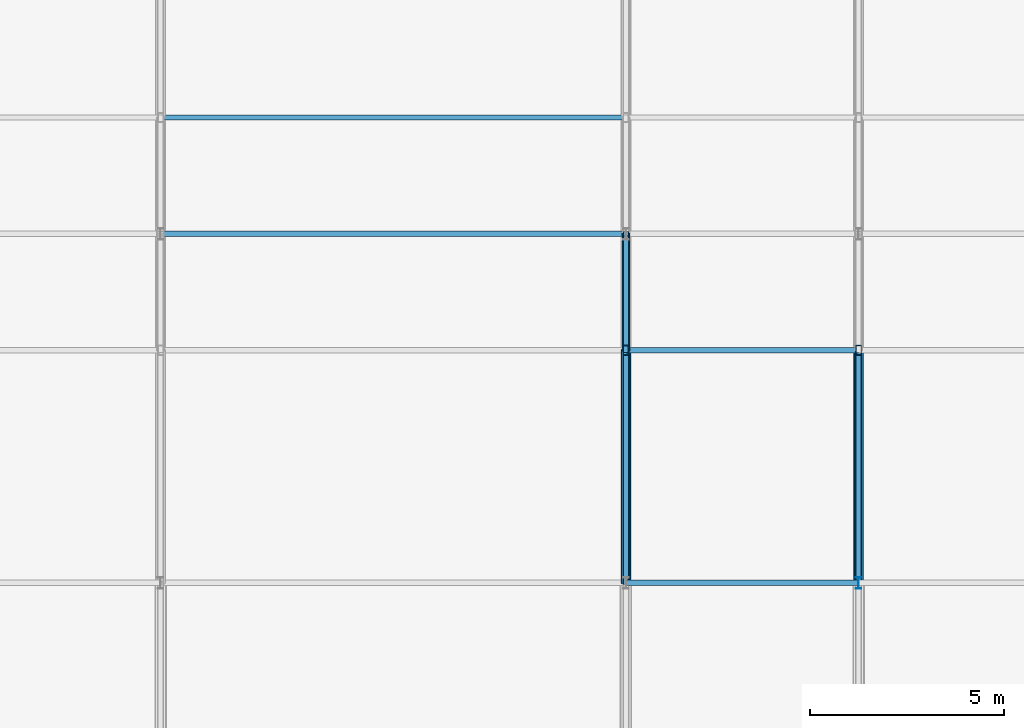
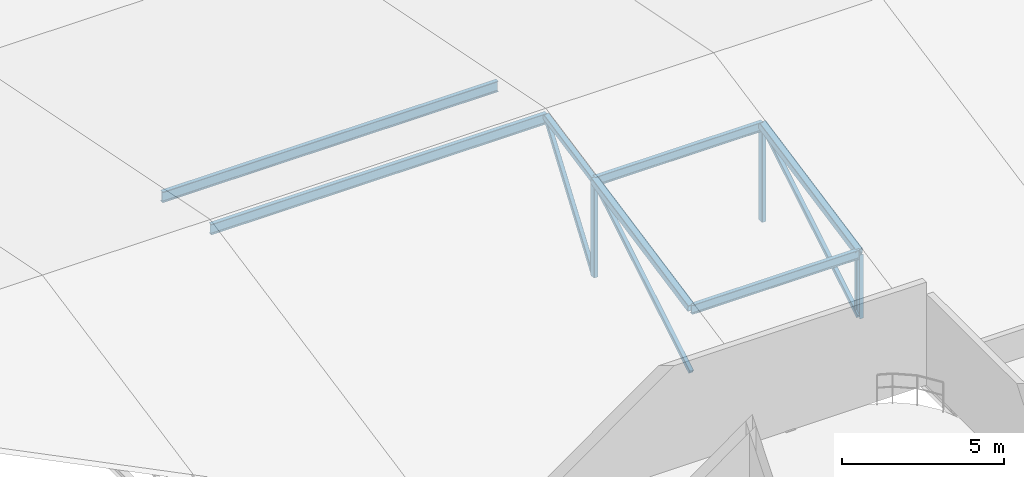
# One storey, part 28 of 83: 10 members, 3 beams.
"""IFC4 building model written with IfcOpenShell, lengths in metres."""

from ifc_helpers import new_model, si_unit, direction, frame, origin, origin_2d, place, context, subcontext, project, spatial, hollow_rectangle, i_section, extrude, material, material_profile, profile_set, type_object, element, save


model = new_model("IFC4")

# Units and contexts
model_context = context("Model", 3, precision=1e-05, world=origin(), true_north=direction((0.0, 1.0)))
body_context = subcontext(model_context, "Body", "Model", "MODEL_VIEW")
ifc_project = project(units=[si_unit("LENGTHUNIT", "METRE"), si_unit("AREAUNIT", "SQUARE_METRE"), si_unit("VOLUMEUNIT", "CUBIC_METRE"), si_unit("PLANEANGLEUNIT", "RADIAN"), si_unit("MASSUNIT", "GRAM", prefix="KILO")], contexts=[model_context])

# Site, building, storey
site_placement = place(None, origin())
site = spatial("IfcSite", under=ifc_project, at=site_placement, CompositionType="ELEMENT")
building_placement = place(site_placement, origin())
building = spatial("IfcBuilding", under=site, at=building_placement, Name="Varnakota Square Police Headquarters", CompositionType="ELEMENT")
storey_placement = place(building_placement, frame((0.0, 0.0, 18.0)))
storey = spatial("IfcBuildingStorey", under=building, at=storey_placement, Name="L04", CompositionType="ELEMENT", Elevation=18.0)

# Beams
ifc_material = material(Name="Steel IS 2062 Grade 350", Category="steel")
ifc_material_profile_1 = material_profile(ifc_material, hollow_rectangle(XDim=0.199951171875, YDim=0.199951171875, WallThickness=0.010009765625, InnerFilletRadius=0.010009765625, OuterFilletRadius=0.02001953125, at=origin_2d()), Name="SHS 200x200x10")
ifc_profile_set_1 = profile_set([ifc_material_profile_1], Name="Steel IS 2062 Grade 350")
beam_type_1 = type_object("IfcBeamType", Name="BM-TR-SHS200", PredefinedType="BEAM", material=ifc_profile_set_1)
beam_placement = place(storey_placement, frame((30.0, 87.0, 2.1201171875), z_axis=(0.0, 0.980589882373, 0.196070096109), x_axis=(-1.0, 0.0, 0.0)))
element("IfcBeam", 1, at=beam_placement, inside=storey, type_object=beam_type_1, Name="ROOF TRUSS top chord T4-P3", PredefinedType="BEAM", context=body_context, shape_type="SweptSolid", body=[
    extrude(hollow_rectangle(XDim=0.199951171875, YDim=0.199951171875, WallThickness=0.010009765625, InnerFilletRadius=0.010009765625, OuterFilletRadius=0.02001953125, at=origin_2d()), origin(), (0.0, 0.0, 1.0), 3.059326171875),
])
ifc_material_profile_2 = material_profile(ifc_material, hollow_rectangle(XDim=0.25, YDim=0.25, WallThickness=0.011962890625, InnerFilletRadius=0.011962890625, OuterFilletRadius=0.02392578125, at=origin_2d()), Name="SHS 250x250x12")
ifc_profile_set_2 = profile_set([ifc_material_profile_2], Name="Steel IS 2062 Grade 350")
beam_type_2 = type_object("IfcBeamType", Name="BM-TR-SHS250", PredefinedType="BEAM", material=ifc_profile_set_2)
for number, where, z_axis, x_axis, name in (
    (2, (30.0, 81.0, 0.919921875), (0.0, 0.980574536798, 0.196146827104), (-1.0, 0.0, 0.0), "ROOF TRUSS top chord T4-P2"),
    (3, (36.0, 81.0, 0.919921875), (0.0, 0.980574536798, 0.196146827104), (-1.0, 0.0, 0.0), "ROOF TRUSS top chord T5-P2"),
):
    element("IfcBeam", number, at=place(storey_placement, frame(where, z_axis=z_axis, x_axis=x_axis)), inside=storey, type_object=beam_type_2, Name=name, PredefinedType="BEAM", context=body_context, shape_type="SweptSolid", body=[
        extrude(hollow_rectangle(XDim=0.25, YDim=0.25, WallThickness=0.011962890625, InnerFilletRadius=0.011962890625, OuterFilletRadius=0.02392578125, at=origin_2d()), origin(), (0.0, 0.0, 1.0), 6.118896484375),
    ])

# Members
ifc_material_profile_3 = material_profile(ifc_material, hollow_rectangle(XDim=0.14990234375, YDim=0.14990234375, WallThickness=0.008056640625, InnerFilletRadius=0.008056640625, OuterFilletRadius=0.01611328125, at=origin_2d()), Name="SHS 150x150x8")
ifc_profile_set_3 = profile_set([ifc_material_profile_3], Name="Steel IS 2062 Grade 350")
member_type_1 = type_object("IfcMemberType", Name="MEM-BR-SHS150", PredefinedType="BRACE", material=ifc_profile_set_3)
member_1_placement = place(storey_placement, frame((30.0, 81.0, -1.5), z_axis=(0.0, 0.856223797044, 0.516605080671), x_axis=(-1.0, 0.0, 0.0)))
element("IfcMember", 4, at=member_1_placement, inside=storey, type_object=member_type_1, Name="ROOF TRUSS diagonal web T4-P2", PredefinedType="BRACE", context=body_context, shape_type="SweptSolid", body=[
    extrude(hollow_rectangle(XDim=0.14990234375, YDim=0.14990234375, WallThickness=0.008056640625, InnerFilletRadius=0.008056640625, OuterFilletRadius=0.01611328125, at=origin_2d()), origin(), (0.0, 0.0, 1.0), 7.007568359375),
])
member_2_placement = place(storey_placement, frame((30.0, 87.0, -1.5), z_axis=(0.0, 0.579412433141, 0.815034497627), x_axis=(-1.0, 0.0, 0.0)))
element("IfcMember", 5, at=member_2_placement, inside=storey, type_object=member_type_1, Name="ROOF TRUSS diagonal web T4-P3", PredefinedType="BRACE", context=body_context, shape_type="SweptSolid", body=[
    extrude(hollow_rectangle(XDim=0.14990234375, YDim=0.14990234375, WallThickness=0.008056640625, InnerFilletRadius=0.008056640625, OuterFilletRadius=0.01611328125, at=origin_2d()), origin(), (0.0, 0.0, 1.0), 5.177734375),
])
member_3_placement = place(storey_placement, frame((36.0, 81.0, -1.5), z_axis=(0.0, 0.856223797044, 0.516605080671), x_axis=(-1.0, 0.0, 0.0)))
element("IfcMember", 6, at=member_3_placement, inside=storey, type_object=member_type_1, Name="ROOF TRUSS diagonal web T5-P2", PredefinedType="BRACE", context=body_context, shape_type="SweptSolid", body=[
    extrude(hollow_rectangle(XDim=0.14990234375, YDim=0.14990234375, WallThickness=0.008056640625, InnerFilletRadius=0.008056640625, OuterFilletRadius=0.01611328125, at=origin_2d()), origin(), (0.0, 0.0, 1.0), 7.007568359375),
])
ifc_material_profile_4 = material_profile(ifc_material, i_section(OverallWidth=0.139892578125, OverallDepth=0.35009765625, WebThickness=0.008056640625, FlangeThickness=0.01416015625, FilletRadius=0.013916015625, at=origin_2d()), Name="ISMB 350")
ifc_profile_set_4 = profile_set([ifc_material_profile_4], Name="Steel IS 2062 Grade 350")
member_type_2 = type_object("IfcMemberType", Name="MEM-PUR-ISMB350", PredefinedType="PURLIN", material=ifc_profile_set_4)
for number, where, z_axis, x_axis, name in (
    (7, (30.0, 81.0, 0.875), (1.0, 0.0, 0.0), (0.0, 1.0, 0.0), "Tactical hall purlin B4-Y81"),
    (8, (30.0, 87.0, 2.074951171875), (1.0, 0.0, 0.0), (0.0, 1.0, 0.0), "Tactical hall purlin B4-Y87"),
):
    element("IfcMember", number, at=place(storey_placement, frame(where, z_axis=z_axis, x_axis=x_axis)), inside=storey, type_object=member_type_2, Name=name, PredefinedType="PURLIN", context=body_context, shape_type="SweptSolid", body=[
        extrude(i_section(OverallWidth=0.139892578125, OverallDepth=0.35009765625, WebThickness=0.008056640625, FlangeThickness=0.01416015625, FilletRadius=0.013916015625, at=origin_2d()), origin(), (0.0, 0.0, 1.0), 6.0),
    ])
ifc_material_profile_5 = material_profile(ifc_material, i_section(OverallWidth=0.139892578125, OverallDepth=0.39990234375, WebThickness=0.0087890625, FlangeThickness=0.01611328125, FilletRadius=0.013916015625, at=origin_2d()), Name="ISMB 400")
ifc_profile_set_5 = profile_set([ifc_material_profile_5], Name="Steel IS 2062 Grade 350")
member_type_3 = type_object("IfcMemberType", Name="MEM-PUR-ISMB400", PredefinedType="PURLIN", material=ifc_profile_set_5)
for number, where, z_axis, x_axis, name in (
    (9, (18.0, 90.0, 2.64990234375), (1.0, 0.0, 0.0), (0.0, 1.0, 0.0), "Tactical hall purlin B3-Y90"),
    (10, (18.0, 93.0, 2.050048828125), (1.0, 0.0, 0.0), (0.0, 1.0, 0.0), "Tactical hall purlin B3-Y93"),
):
    element("IfcMember", number, at=place(storey_placement, frame(where, z_axis=z_axis, x_axis=x_axis)), inside=storey, type_object=member_type_3, Name=name, PredefinedType="PURLIN", context=body_context, shape_type="SweptSolid", body=[
        extrude(i_section(OverallWidth=0.139892578125, OverallDepth=0.39990234375, WebThickness=0.0087890625, FlangeThickness=0.01611328125, FilletRadius=0.013916015625, at=origin_2d()), origin(), (0.0, 0.0, 1.0), 12.0),
    ])
ifc_material_profile_6 = material_profile(ifc_material, i_section(OverallWidth=0.139892578125, OverallDepth=0.300048828125, WebThickness=0.0078125, FlangeThickness=0.01318359375, FilletRadius=0.013916015625, at=origin_2d()), Name="ISMB 300")
ifc_profile_set_6 = profile_set([ifc_material_profile_6], Name="Steel IS 2062 Grade 350")
member_type_4 = type_object("IfcMemberType", Name="MEM-STR-ISMB300", PredefinedType="STRUT", material=ifc_profile_set_6)
member_4_placement = place(storey_placement, frame((36.0, 81.0, -1.5), z_axis=(0.0, 0.0, 1.0), x_axis=(1.0, 0.0, 0.0)))
element("IfcMember", 11, at=member_4_placement, inside=storey, type_object=member_type_4, Name="ROOF TRUSS vertical strut T5-V1", PredefinedType="STRUT", context=body_context, shape_type="SweptSolid", body=[
    extrude(i_section(OverallWidth=0.139892578125, OverallDepth=0.300048828125, WebThickness=0.0078125, FlangeThickness=0.01318359375, FilletRadius=0.013916015625, at=origin_2d()), origin(), (0.0, 0.0, 1.0), 2.419921875),
])
ifc_material_profile_7 = material_profile(ifc_material, hollow_rectangle(XDim=0.14990234375, YDim=0.25, WallThickness=0.010009765625, InnerFilletRadius=0.010009765625, OuterFilletRadius=0.02001953125, at=origin_2d()), Name="RHS 250x150x10")
ifc_profile_set_7 = profile_set([ifc_material_profile_7], Name="Steel IS 2062 Grade 350")
member_type_5 = type_object("IfcMemberType", Name="MEM-STR-RHS250", PredefinedType="STRUT", material=ifc_profile_set_7)
for number, where, z_axis, x_axis, name in (
    (12, (30.0, 87.0, -1.5), (0.0, 0.0, 1.0), (1.0, 0.0, 0.0), "ROOF TRUSS vertical strut T4-V2"),
    (13, (36.0, 87.0, -1.5), (0.0, 0.0, 1.0), (1.0, 0.0, 0.0), "ROOF TRUSS vertical strut T5-V2"),
):
    element("IfcMember", number, at=place(storey_placement, frame(where, z_axis=z_axis, x_axis=x_axis)), inside=storey, type_object=member_type_5, Name=name, PredefinedType="STRUT", context=body_context, shape_type="SweptSolid", body=[
        extrude(hollow_rectangle(XDim=0.14990234375, YDim=0.25, WallThickness=0.010009765625, InnerFilletRadius=0.010009765625, OuterFilletRadius=0.02001953125, at=origin_2d()), origin(), (0.0, 0.0, 1.0), 3.6201171875),
    ])

save(model, "model.ifc")
